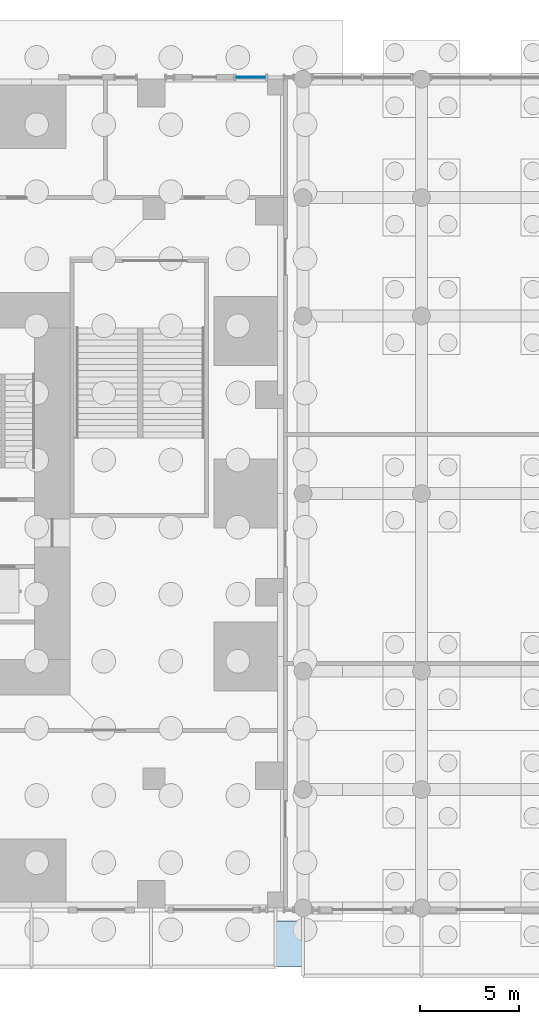
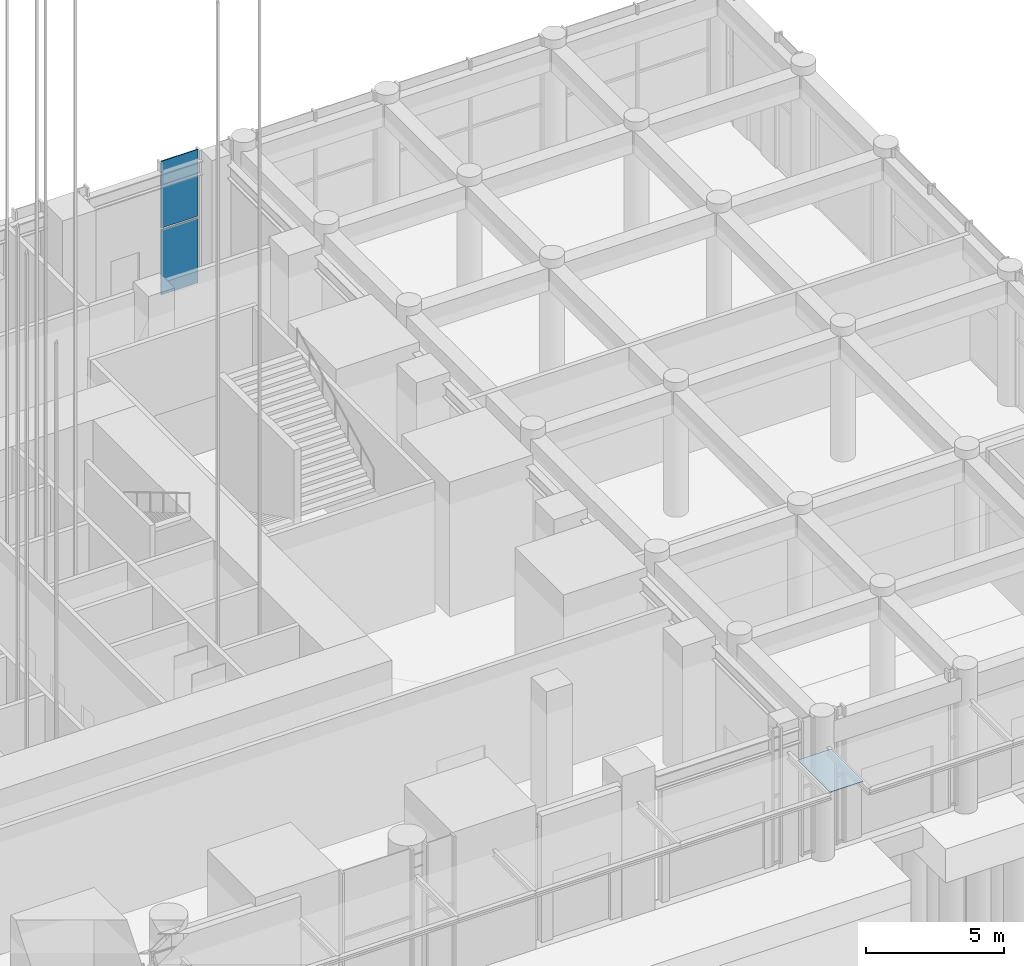
# One storey, part 19 of 46: 3 plates, 1 element without a shape of its own.
"""IFC4 building model written with IfcOpenShell, lengths in metres."""

from ifc_helpers import new_model, si_unit, direction, frame, origin, origin_2d, place, context, subcontext, project, spatial, rectangle, extrude, material, layer, layer_set, type_object, element, aggregate, save


model = new_model("IFC4")

# Units and contexts
model_context = context("Model", 3, precision=1e-05, world=origin(), true_north=direction((0.0, 1.0)))
body_context = subcontext(model_context, "Body", "Model", "MODEL_VIEW")
ifc_project = project(units=[si_unit("LENGTHUNIT", "METRE"), si_unit("AREAUNIT", "SQUARE_METRE"), si_unit("VOLUMEUNIT", "CUBIC_METRE"), si_unit("PLANEANGLEUNIT", "RADIAN"), si_unit("MASSUNIT", "GRAM", prefix="KILO")], contexts=[model_context])

# Site, building, storey
site_placement = place(None, origin())
site = spatial("IfcSite", under=ifc_project, at=site_placement, CompositionType="ELEMENT")
building_placement = place(site_placement, origin())
building = spatial("IfcBuilding", under=site, at=building_placement, Name="Svetlomir Tower", CompositionType="ELEMENT")
storey_placement = place(building_placement, origin())
storey = spatial("IfcBuildingStorey", under=building, at=storey_placement, Name="L00", CompositionType="ELEMENT", Elevation=0.0)

# Plate
ifc_material_1 = material(Name="Laminated toughened glass", Category="glass")
ifc_layer_1 = layer(ifc_material_1, 0.02490234375)
ifc_layer_set_1 = layer_set([ifc_layer_1], Name="Laminated toughened glass")
plate_type_1 = type_object("IfcPlateType", Name="CANOPY GLASS 25", PredefinedType="USERDEFINED", material=ifc_layer_set_1)
plate_1_placement = place(storey_placement, frame((42.300048828125, -1.824951171875, 4.650146484375), z_axis=(0.0, 0.0, 1.0), x_axis=(1.0, 0.0, 0.0)))
element("IfcPlate", 1, at=plate_1_placement, inside=storey, type_object=plate_type_1, Name="Canopy glass 41.6 to 43", ObjectType="CANOPY GLASS", PredefinedType="USERDEFINED", context=body_context, shape_type="SweptSolid", body=[
    extrude(rectangle(XDim=1.39990234375, YDim=2.35009765625, at=origin_2d()), origin(), (0.0, 0.0, 1.0), 0.02490234375),
])

# Curtain wall, plates
ifc_material_2 = material(Name="Bronze anodised aluminium curtain wall", Category="aluminium")
curtain_wall_type = type_object("IfcCurtainWallType", Name="CURTAIN WALL CW5 PODIUM", PredefinedType="NOTDEFINED", material=ifc_material_2)
curtain_wall_placement = place(storey_placement, origin())
curtain_wall = element("IfcCurtainWall", 2, at=curtain_wall_placement, inside=storey, type_object=curtain_wall_type, Name="Curtain wall CW5 L00", PredefinedType="NOTDEFINED")
ifc_material_3 = material(Name="Tinted double glazed unit", Category="glass")
ifc_layer_2 = layer(ifc_material_3, 0.0400390625)
ifc_layer_set_2 = layer_set([ifc_layer_2], Name="Tinted double glazed unit")
plate_type_2 = type_object("IfcPlateType", Name="CW5 GLAZED PANEL 40", PredefinedType="CURTAIN_PANEL", material=ifc_layer_set_2)
plate_2_placement = place(storey_placement, frame((40.35009765625, 42.10009765625, 0.080078125), z_axis=(0.0, 0.0, 1.0), x_axis=(-1.0, 0.0, 0.0)))
plate_2 = element("IfcPlate", 3, at=plate_2_placement, type_object=plate_type_2, Name="CW5 panel 1.1", PredefinedType="CURTAIN_PANEL", context=body_context, shape_type="SweptSolid", body=[
    extrude(rectangle(XDim=1.5400390625, YDim=0.0400390625, at=origin_2d()), origin(), (0.0, 0.0, 1.0), 2.8798828125),
])
plate_3_placement = place(storey_placement, frame((40.35009765625, 42.10009765625, 3.0400390625), z_axis=(0.0, 0.0, 1.0), x_axis=(-1.0, 0.0, 0.0)))
plate_3 = element("IfcPlate", 4, at=plate_3_placement, type_object=plate_type_2, Name="CW5 panel 1.2", PredefinedType="CURTAIN_PANEL", context=body_context, shape_type="SweptSolid", body=[
    extrude(rectangle(XDim=1.5400390625, YDim=0.0400390625, at=origin_2d()), origin(), (0.0, 0.0, 1.0), 2.9599609375),
])
aggregate(curtain_wall, [plate_2, plate_3])

save(model, "model.ifc")
